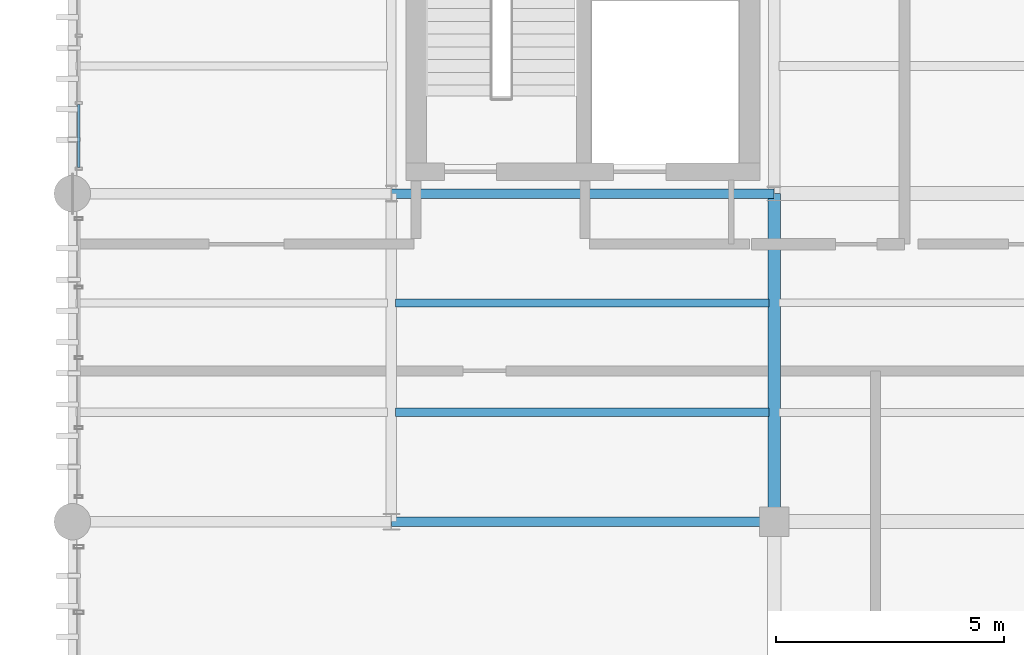
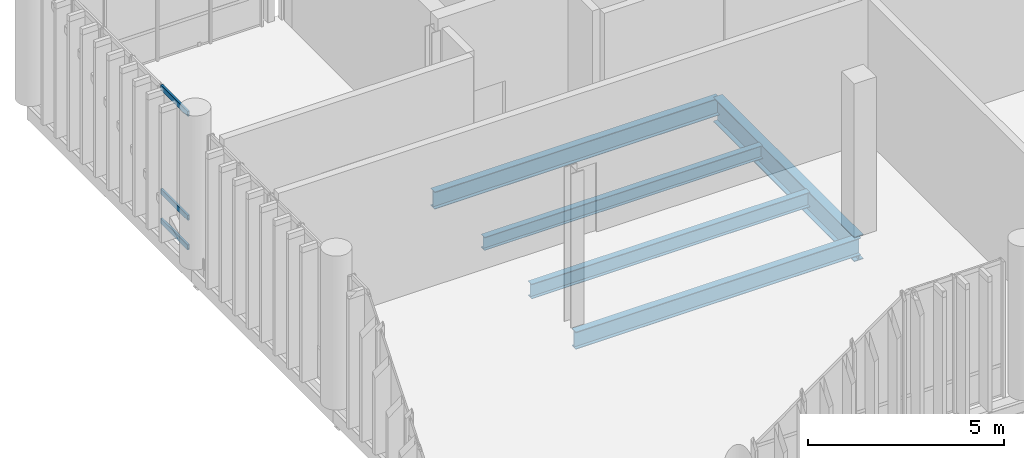
# One storey, part 21 of 94: 5 beams, 3 members, 1 element without a shape of its own.
"""IFC4 building model written with IfcOpenShell, lengths in metres."""

import ifcopenshell
import ifcopenshell.guid

model = None  # the IFC model being written
_history = None  # IfcOwnerHistory: only IFC2X3 demands one
_inside = {}  # id of a spatial element -> (the spatial element, [elements in it])
_under = {}  # id of a project, library or spatial element -> (it, [spatial elements below it])
_declared = {}  # id of a project -> (the project, [libraries it declares])
_typed = {}  # id of a type object -> (the type object, [elements of that type])
_made_of = {}  # id of a material, layer set ... -> (it, [elements and type objects made of it])


def new_model(schema):
    """Start an empty IFC model of exactly this schema.

    Asked for "IFC4X3", IfcOpenShell would pick the latest addendum, in which some entities
    have other attributes; the version numbers below select the first issue.
    IFC2X3 requires an IfcOwnerHistory on every rooted entity: one is made here for all.
    """
    global model, _history
    if schema == "IFC4X3":
        model = ifcopenshell.file(schema_version=(4, 3, 0, 0))
    else:
        model = ifcopenshell.file(schema=schema)
    _inside.clear()
    _under.clear()
    _declared.clear()
    _typed.clear()
    _made_of.clear()
    _history = None
    if model.schema == "IFC2X3":
        org = make("IfcOrganization", Name="unknown")
        user = make(
            "IfcPersonAndOrganization",
            ThePerson=make("IfcPerson", FamilyName="unknown"),
            TheOrganization=org,
        )
        app = make(
            "IfcApplication",
            ApplicationDeveloper=org,
            Version="unknown",
            ApplicationFullName="unknown",
            ApplicationIdentifier="unknown",
        )
        _history = make(
            "IfcOwnerHistory",
            OwningUser=user,
            OwningApplication=app,
            ChangeAction="ADDED",
            CreationDate=0,
        )
    return model


def make(cls, **values):
    """One entity of the class cls with the attributes given. An attribute that is None is left unset."""
    return model.create_entity(
        cls, **{name: value for name, value in values.items() if value is not None}
    )


def rooted(cls, **values):
    """An entity with a GlobalId (a new one), such as an element, a storey or a relation."""
    return make(cls, GlobalId=ifcopenshell.guid.new(), OwnerHistory=_history, **values)


def si_unit(unit_type, name, prefix=None):
    """IfcSIUnit, for example si_unit("LENGTHUNIT", "METRE", prefix="MILLI")."""
    return make("IfcSIUnit", UnitType=unit_type, Prefix=prefix, Name=name)


def assignment(units):
    """IfcUnitAssignment: the units of a project."""
    return None if units is None else make("IfcUnitAssignment", Units=units)


def point(xyz):
    """IfcCartesianPoint."""
    return None if xyz is None else make("IfcCartesianPoint", Coordinates=xyz)


def direction(xyz):
    """IfcDirection."""
    return None if xyz is None else make("IfcDirection", DirectionRatios=xyz)


def frame(location, z_axis=None, x_axis=None):
    """IfcAxis2Placement3D, a coordinate frame: its origin and axes. An axis left out is left unset."""
    return make(
        "IfcAxis2Placement3D",
        Location=point(location),
        Axis=direction(z_axis),
        RefDirection=direction(x_axis),
    )


def frame_2d(location, x_axis=None):
    """IfcAxis2Placement2D, a coordinate frame in the plane: its origin and x axis."""
    return make(
        "IfcAxis2Placement2D", Location=point(location), RefDirection=direction(x_axis)
    )


def origin_with_axes():
    """The frame at (0, 0, 0) with the z axis (0, 0, 1) and the x axis (1, 0, 0) written out."""
    return frame((0.0, 0.0, 0.0), z_axis=(0.0, 0.0, 1.0), x_axis=(1.0, 0.0, 0.0))


def origin_2d_with_axis():
    """The frame at (0, 0) in the plane with the x axis (1, 0) written out."""
    return frame_2d((0.0, 0.0), x_axis=(1.0, 0.0))


def place(relative_to, where):
    """IfcLocalPlacement: puts the frame where relative to a parent placement (None: the world)."""
    return make(
        "IfcLocalPlacement", PlacementRelTo=relative_to, RelativePlacement=where
    )


def context(
    kind, dimensions, precision=None, world=None, true_north=None, identifier=None
):
    """IfcGeometricRepresentationContext, for example the 3D "Model" context."""
    return make(
        "IfcGeometricRepresentationContext",
        ContextIdentifier=identifier,
        ContextType=kind,
        CoordinateSpaceDimension=dimensions,
        Precision=precision,
        WorldCoordinateSystem=world,
        TrueNorth=true_north,
    )


def subcontext(parent, identifier, kind, view, scale=None):
    """IfcGeometricRepresentationSubContext, for example "Body" below "Model"."""
    return make(
        "IfcGeometricRepresentationSubContext",
        ContextIdentifier=identifier,
        ContextType=kind,
        ParentContext=parent,
        TargetScale=scale,
        TargetView=view,
    )


def project(units=None, contexts=None):
    """IfcProject with its units and contexts."""
    return rooted(
        "IfcProject",
        Name="project",
        RepresentationContexts=contexts,
        UnitsInContext=assignment(units),
    )


def spatial(cls, under=None, at=None, **own):
    """A site, building, storey or space (cls), placed at a placement, below another one or the project."""
    s = rooted(cls, ObjectPlacement=at, **own)
    if under is not None:
        _under.setdefault(under.id(), (under, []))[1].append(s)
    return s


def profile(cls, at=None, kind="AREA", **sizes):
    """A parametric profile (cls). Its sizes go by their IFC names, for example OverallWidth=200.0."""
    return make(cls, ProfileType=kind, Position=at, **sizes)


def hollow_rectangle(**sizes):
    """IfcRectangleHollowProfileDef."""
    return profile("IfcRectangleHollowProfileDef", **sizes)


def i_section(**sizes):
    """IfcIShapeProfileDef."""
    return profile("IfcIShapeProfileDef", **sizes)


def extrude(swept, where, along, depth):
    """IfcExtrudedAreaSolid: the profile swept, set in the frame where, extruded along a direction by depth."""
    return make(
        "IfcExtrudedAreaSolid",
        SweptArea=swept,
        Position=where,
        ExtrudedDirection=direction(along),
        Depth=depth,
    )


def shape(context_of_items, identifier, shape_type, items):
    """IfcShapeRepresentation: the items that make up one representation, for example the "Body"."""
    return make(
        "IfcShapeRepresentation",
        ContextOfItems=context_of_items,
        RepresentationIdentifier=identifier,
        RepresentationType=shape_type,
        Items=items,
    )


def material(Name=None, Category=None):
    """IfcMaterial."""
    return make("IfcMaterial", Name=Name, Category=Category)


def material_profile(
    of_material, cross_section, Name=None, Category=None, Priority=None
):
    """IfcMaterialProfile: a cross section and its material."""
    return make(
        "IfcMaterialProfile",
        Name=Name,
        Material=of_material,
        Profile=cross_section,
        Priority=Priority,
        Category=Category,
    )


def profile_set(profiles, Name=None, composite=None):
    """IfcMaterialProfileSet."""
    return make(
        "IfcMaterialProfileSet",
        Name=Name,
        MaterialProfiles=profiles,
        CompositeProfile=composite,
    )


def made_of(thing, what):
    """Note that an element or type object is made of a material, layer set ...; save() writes the relation."""
    if what is not None:
        _made_of.setdefault(what.id(), (what, []))[1].append(thing)
    return thing


def type_object(cls, material=None, **own):
    """A type object (cls), such as IfcWallType, which elements share."""
    return made_of(rooted(cls, **own), material)


def element(
    cls,
    number,
    at=None,
    inside=None,
    cuts=None,
    type_object=None,
    material=None,
    context=None,
    identifier="Body",
    shape_type=None,
    held_by="IfcProductDefinitionShape",
    body=None,
    shapes=None,
    **own,
):
    """One element of the class cls, such as IfcWall. Its Tag is "e" and its number.

    at: its placement. inside: the storey or other place that contains it. cuts: it is an
    opening in that element (IfcRelVoidsElement). A single representation is given by context,
    identifier, shape_type and body (its items); several are given by shapes. held_by: the class
    of the entity that holds the representations. save() writes the other relations.
    """
    e = rooted(cls, Tag="e%d" % number, ObjectPlacement=at, **own)
    if body is not None:
        shapes = [shape(context, identifier, shape_type, body)]
    if shapes is not None:
        e.Representation = make(held_by, Representations=shapes)
    if inside is not None:
        _inside.setdefault(inside.id(), (inside, []))[1].append(e)
    if cuts is not None:
        rooted(
            "IfcRelVoidsElement", RelatingBuildingElement=cuts, RelatedOpeningElement=e
        )
    if type_object is not None:
        _typed.setdefault(type_object.id(), (type_object, []))[1].append(e)
    return made_of(e, material)


def aggregate(whole, parts):
    """IfcRelAggregates: a whole, such as a stair, and the parts it consists of."""
    return rooted("IfcRelAggregates", RelatingObject=whole, RelatedObjects=parts)


def save(model, path):
    """Write the relations noted so far, then the file.

    IfcRelAggregates (storeys below a building ...), IfcRelContainedInSpatialStructure (elements
    in a storey), IfcRelDefinesByType, IfcRelAssociatesMaterial and IfcRelDeclares: one each for
    every whole, place, type object, material and project.
    """
    for whole, parts in _under.values():
        aggregate(whole, parts)
    for where, things in _inside.values():
        rooted(
            "IfcRelContainedInSpatialStructure",
            RelatedElements=things,
            RelatingStructure=where,
        )
    for kind, things in _typed.values():
        rooted("IfcRelDefinesByType", RelatedObjects=things, RelatingType=kind)
    for what, things in _made_of.values():
        rooted("IfcRelAssociatesMaterial", RelatedObjects=things, RelatingMaterial=what)
    for by, libraries in _declared.values():
        rooted("IfcRelDeclares", RelatingContext=by, RelatedDefinitions=libraries)
    model.write(path)


model = new_model("IFC4")

# Units and contexts
model_context = context("Model", 3, precision=1e-05, world=origin_with_axes(), true_north=direction((0.0, 1.0)))
body_context = subcontext(model_context, "Body", "Model", "MODEL_VIEW")
ifc_project = project(units=[si_unit("LENGTHUNIT", "METRE"), si_unit("AREAUNIT", "SQUARE_METRE"), si_unit("VOLUMEUNIT", "CUBIC_METRE"), si_unit("PLANEANGLEUNIT", "RADIAN"), si_unit("MASSUNIT", "GRAM", prefix="KILO"), si_unit("THERMODYNAMICTEMPERATUREUNIT", "KELVIN")], contexts=[model_context])

# Site, building, storey
site_placement = place(None, origin_with_axes())
site = spatial("IfcSite", under=ifc_project, at=site_placement, CompositionType="ELEMENT")
building_placement = place(site_placement, origin_with_axes())
building = spatial("IfcBuilding", under=site, at=building_placement, Name="Montbau Bow Law Courts", CompositionType="ELEMENT")
storey_placement = place(building_placement, frame((0.0, 0.0, 15.6), z_axis=(0.0, 0.0, 1.0), x_axis=(1.0, 0.0, 0.0)))
storey = spatial("IfcBuildingStorey", under=building, at=storey_placement, Name="L03", CompositionType="ELEMENT", Elevation=15.6)

# Beams
ifc_material_1 = material(Name="Steel CSA G40.21 Grade 350W (350 MPa)", Category="steel")
ifc_material_profile_1 = material_profile(ifc_material_1, i_section(OverallWidth=0.267, OverallDepth=0.766, WebThickness=0.0149, FlangeThickness=0.0236, at=origin_2d_with_axis()), Name="W760X185", Category="Main", Priority=0)
ifc_profile_set_1 = profile_set([ifc_material_profile_1], Name="Steel CSA G40.21 Grade 350W (350 MPa)")
beam_type_1 = type_object("IfcBeamType", Name="B-FLR-03", PredefinedType="BEAM", material=ifc_profile_set_1)
beam_1_placement = place(None, frame((22.2, 39.0, 14.977), z_axis=(0.0, 1.0, 0.0), x_axis=(-1.0, 0.0, 0.0)))
element("IfcBeam", 1, at=beam_1_placement, inside=storey, type_object=beam_type_1, Name="BM-L03-S0607:bm2_0610", PredefinedType="BEAM", context=body_context, shape_type="SweptSolid", body=[
    extrude(i_section(OverallWidth=0.267, OverallDepth=0.766, WebThickness=0.0149, FlangeThickness=0.0236, at=origin_2d_with_axis()), origin_with_axes(), (0.0, 0.0, 1.0), 7.2),
])
ifc_material_profile_2 = material_profile(ifc_material_1, i_section(OverallWidth=0.21, OverallDepth=0.537, WebThickness=0.0109, FlangeThickness=0.0174, at=origin_2d_with_axis()), Name="W530X101", Category="Main", Priority=0)
ifc_profile_set_2 = profile_set([ifc_material_profile_2], Name="Steel CSA G40.21 Grade 350W (350 MPa)")
beam_type_2 = type_object("IfcBeamType", Name="B-FLR-06", PredefinedType="BEAM", material=ifc_profile_set_2)
for number, where, z_axis, x_axis, name in (
    (2, (13.8, 39.0, 15.091), (1.0, 0.0, 0.0), (0.0, 1.0, 0.0), "BM-L03-S0587:bm2_0590"),
    (3, (13.8, 46.2, 15.091), (1.0, 0.0, 0.0), (0.0, 1.0, 0.0), "BM-L03-S0592:bm2_0595"),
):
    element("IfcBeam", number, at=place(None, frame(where, z_axis=z_axis, x_axis=x_axis)), inside=storey, type_object=beam_type_2, Name=name, PredefinedType="BEAM", context=body_context, shape_type="SweptSolid", body=[
        extrude(i_section(OverallWidth=0.21, OverallDepth=0.537, WebThickness=0.0109, FlangeThickness=0.0174, at=origin_2d_with_axis()), origin_with_axes(), (0.0, 0.0, 1.0), 8.4),
    ])
ifc_material_profile_3 = material_profile(ifc_material_1, i_section(OverallWidth=0.191, OverallDepth=0.46, WebThickness=0.0099, FlangeThickness=0.016, at=origin_2d_with_axis()), Name="W460X82", Category="Main", Priority=0)
ifc_profile_set_3 = profile_set([ifc_material_profile_3], Name="Steel CSA G40.21 Grade 350W (350 MPa)")
beam_type_3 = type_object("IfcBeamType", Name="B-JST-01", PredefinedType="JOIST", material=ifc_profile_set_3)
beam_2_placement = place(None, frame((13.891, 41.4, 15.13), z_axis=(1.0, 0.0, 0.0), x_axis=(0.0, 1.0, 0.0)))
element("IfcBeam", 4, at=beam_2_placement, inside=storey, type_object=beam_type_3, Name="JST-L03-S0288:jst2_0288", PredefinedType="JOIST", context=body_context, shape_type="SweptSolid", body=[
    extrude(i_section(OverallWidth=0.191, OverallDepth=0.46, WebThickness=0.0099, FlangeThickness=0.016, at=origin_2d_with_axis()), origin_with_axes(), (0.0, 0.0, 1.0), 8.199),
])
ifc_material_profile_4 = material_profile(ifc_material_1, i_section(OverallWidth=0.179, OverallDepth=0.41, WebThickness=0.0088, FlangeThickness=0.0144, at=origin_2d_with_axis()), Name="W410X67", Category="Main", Priority=0)
ifc_profile_set_4 = profile_set([ifc_material_profile_4], Name="Steel CSA G40.21 Grade 350W (350 MPa)")
beam_type_4 = type_object("IfcBeamType", Name="B-JST-02", PredefinedType="JOIST", material=ifc_profile_set_4)
beam_3_placement = place(None, frame((13.891, 43.8, 15.155), z_axis=(1.0, 0.0, 0.0), x_axis=(0.0, 1.0, 0.0)))
element("IfcBeam", 5, at=beam_3_placement, inside=storey, type_object=beam_type_4, Name="JST-L03-S0289:jst2_0289", PredefinedType="JOIST", context=body_context, shape_type="SweptSolid", body=[
    extrude(i_section(OverallWidth=0.179, OverallDepth=0.41, WebThickness=0.0088, FlangeThickness=0.0144, at=origin_2d_with_axis()), origin_with_axes(), (0.0, 0.0, 1.0), 8.199),
])

# Curtain wall, members
ifc_material_2 = material(Name="Thermally Broken Extruded Aluminium AA 6063-T6", Category="aluminium")
curtain_wall_type = type_object("IfcCurtainWallType", Name="CW-TRC-01", PredefinedType="NOTDEFINED", material=ifc_material_2)
curtain_wall_placement = place(None, frame((6.94, 46.715, 15.6), z_axis=(0.0, 0.0, 1.0), x_axis=(1.0, 0.0, 0.0)))
curtain_wall = element("IfcCurtainWall", 6, at=curtain_wall_placement, inside=storey, type_object=curtain_wall_type, Name="CW-L03-062:cw_0062", PredefinedType="NOTDEFINED")
ifc_material_profile_5 = material_profile(ifc_material_2, hollow_rectangle(XDim=0.06, YDim=0.16, WallThickness=0.004, InnerFilletRadius=0.008, OuterFilletRadius=0.004, at=origin_2d_with_axis()), Name="CWT-160X60", Category="Main", Priority=0)
ifc_profile_set_5 = profile_set([ifc_material_profile_5], Name="Thermally Broken Extruded Aluminium AA 6063-T6")
member_type = type_object("IfcMemberType", Name="M-TRN-01", PredefinedType="USERDEFINED", material=ifc_profile_set_5)
member_1_placement = place(None, frame((6.94, 46.777, 15.63), z_axis=(0.0, 1.0, 0.0), x_axis=(-1.0, 0.0, 0.0)))
member_1 = element("IfcMember", 7, at=member_1_placement, type_object=member_type, Name="CW-L03-062-T01-1:cw_0062_T01_1", ObjectType="TRANSOM", PredefinedType="USERDEFINED", context=body_context, shape_type="SweptSolid", body=[
    extrude(hollow_rectangle(XDim=0.06, YDim=0.16, WallThickness=0.004, InnerFilletRadius=0.008, OuterFilletRadius=0.004, at=origin_2d_with_axis()), origin_with_axes(), (0.0, 0.0, 1.0), 1.38),
])
member_2_placement = place(None, frame((6.94, 46.777, 16.55), z_axis=(0.0, 1.0, 0.0), x_axis=(-1.0, 0.0, 0.0)))
member_2 = element("IfcMember", 8, at=member_2_placement, type_object=member_type, Name="CW-L03-062-T01-2:cw_0062_T01_2", ObjectType="TRANSOM", PredefinedType="USERDEFINED", context=body_context, shape_type="SweptSolid", body=[
    extrude(hollow_rectangle(XDim=0.06, YDim=0.16, WallThickness=0.004, InnerFilletRadius=0.008, OuterFilletRadius=0.004, at=origin_2d_with_axis()), origin_with_axes(), (0.0, 0.0, 1.0), 1.38),
])
member_3_placement = place(None, frame((6.94, 46.777, 19.79), z_axis=(0.0, 1.0, 0.0), x_axis=(-1.0, 0.0, 0.0)))
member_3 = element("IfcMember", 9, at=member_3_placement, type_object=member_type, Name="CW-L03-062-T01-3:cw_0062_T01_3", ObjectType="TRANSOM", PredefinedType="USERDEFINED", context=body_context, shape_type="SweptSolid", body=[
    extrude(hollow_rectangle(XDim=0.06, YDim=0.16, WallThickness=0.004, InnerFilletRadius=0.008, OuterFilletRadius=0.004, at=origin_2d_with_axis()), origin_with_axes(), (0.0, 0.0, 1.0), 1.38),
])
aggregate(curtain_wall, [member_1, member_2, member_3])

save(model, "model.ifc")
